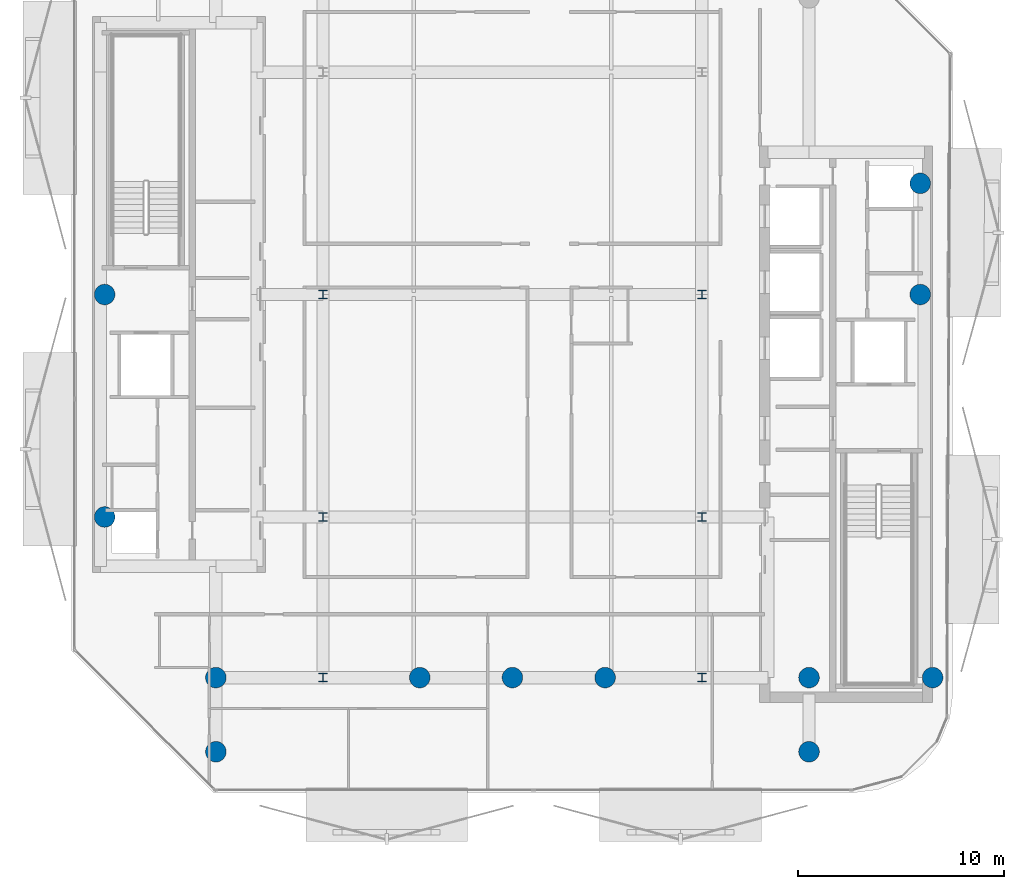
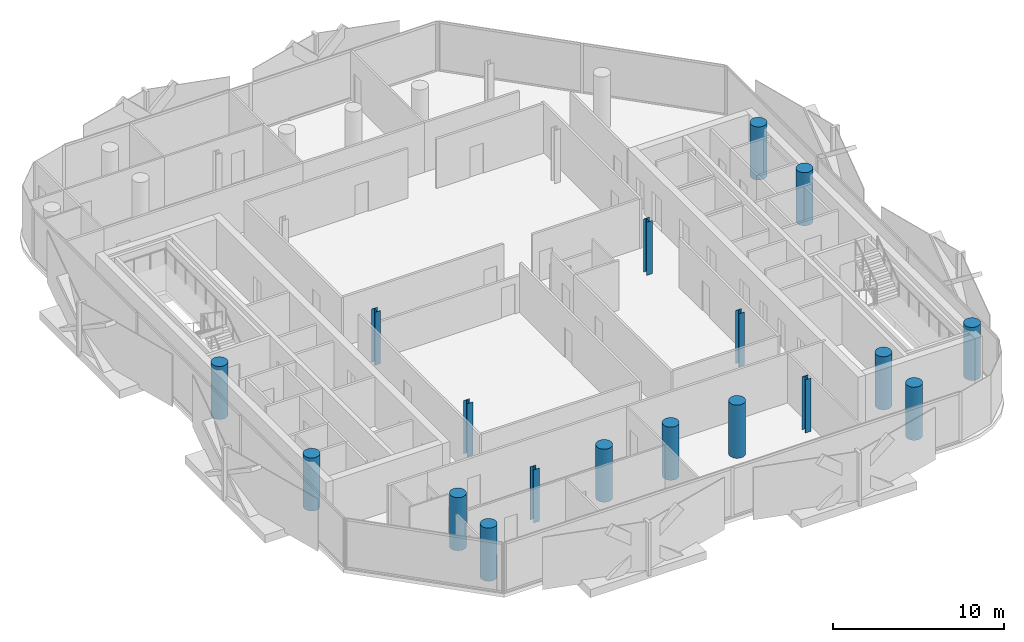
# One storey, part 1 of 16: 18 columns.
"""IFC4 building model written with IfcOpenShell, lengths in metres."""

from ifc_helpers import new_model, si_unit, direction, frame, origin, origin_2d, place, context, subcontext, project, spatial, circle, i_section, extrude, material, material_profile, profile_set, type_object, element, save


model = new_model("IFC4")

# Units and contexts
model_context = context("Model", 3, precision=1e-05, world=origin(), true_north=direction((0.0, 1.0)))
body_context = subcontext(model_context, "Body", "Model", "MODEL_VIEW")
ifc_project = project(units=[si_unit("LENGTHUNIT", "METRE"), si_unit("AREAUNIT", "SQUARE_METRE"), si_unit("VOLUMEUNIT", "CUBIC_METRE"), si_unit("PLANEANGLEUNIT", "RADIAN"), si_unit("MASSUNIT", "GRAM", prefix="KILO")], contexts=[model_context])

# Site, building, storey
site_placement = place(None, origin())
site = spatial("IfcSite", under=ifc_project, at=site_placement, CompositionType="ELEMENT")
building_placement = place(site_placement, origin())
building = spatial("IfcBuilding", under=site, at=building_placement, Name="Khairoan Windgate Tower", CompositionType="ELEMENT")
storey_placement = place(building_placement, frame((0.0, 0.0, 292.800048828125)))
storey = spatial("IfcBuildingStorey", under=building, at=storey_placement, Name="L70", CompositionType="ELEMENT", Elevation=292.800048828125)

# Columns
ifc_material_1 = material(Name="Concrete C60/75", Category="concrete")
ifc_material_profile_1 = material_profile(ifc_material_1, circle(Radius=0.5, at=origin_2d()))
ifc_profile_set_1 = profile_set([ifc_material_profile_1], Name="Concrete C60/75")
column_type_1 = type_object("IfcColumnType", Name="Column C-P1 RC-D1000", PredefinedType="COLUMN", material=ifc_profile_set_1)
for number, where, z_axis, x_axis, name in (
    (1, (20.39990234375, -18.60009765625, 0.0), (0.0, 0.0, 1.0), (1.0, 0.0, 0.0), "Column L70-12"),
    (2, (-14.39990234375, -18.60009765625, 0.0), (0.0, 0.0, 1.0), (1.0, 0.0, 0.0), "Column L70-13"),
    (3, (14.39990234375, -18.60009765625, 0.0), (0.0, 0.0, 1.0), (1.0, 0.0, 0.0), "Column L70-15"),
    (4, (-4.5, -18.60009765625, 0.0), (0.0, 0.0, 1.0), (1.0, 0.0, 0.0), "Column L70-17"),
    (5, (0.0, -18.60009765625, 0.0), (0.0, 0.0, 1.0), (1.0, 0.0, 0.0), "Column L70-18"),
    (6, (4.5, -18.60009765625, 0.0), (0.0, 0.0, 1.0), (1.0, 0.0, 0.0), "Column L70-19"),
    (7, (-19.800048828125, -10.800048828125, 0.0), (0.0, 0.0, 1.0), (1.0, 0.0, 0.0), "Column L70-23"),
    (8, (-19.800048828125, 0.0, 0.0), (0.0, 0.0, 1.0), (1.0, 0.0, 0.0), "Column L70-24"),
    (9, (19.800048828125, 0.0, 0.0), (0.0, 0.0, 1.0), (1.0, 0.0, 0.0), "Column L70-25"),
    (10, (19.800048828125, 5.39990234375, 0.0), (0.0, 0.0, 1.0), (1.0, 0.0, 0.0), "Column L70-26"),
    (11, (-14.39990234375, -22.199951171875, 0.0), (0.0, 0.0, 1.0), (1.0, 0.0, 0.0), "Column L70-27"),
    (12, (14.39990234375, -22.199951171875, 0.0), (0.0, 0.0, 1.0), (1.0, 0.0, 0.0), "Column L70-29"),
):
    element("IfcColumn", number, at=place(storey_placement, frame(where, z_axis=z_axis, x_axis=x_axis)), inside=storey, type_object=column_type_1, Name=name, PredefinedType="COLUMN", context=body_context, shape_type="SweptSolid", body=[
        extrude(circle(Radius=0.5, at=origin_2d()), origin(), (0.0, 0.0, 1.0), 3.800048828125),
    ])
ifc_material_2 = material(Name="Steel S355", Category="steel")
ifc_material_profile_2 = material_profile(ifc_material_2, i_section(OverallWidth=0.39990234375, OverallDepth=0.39990234375, WebThickness=0.012939453125, FlangeThickness=0.02099609375, FilletRadius=0.02197265625, at=origin_2d()))
ifc_profile_set_2 = profile_set([ifc_material_profile_2], Name="Steel S355")
column_type_2 = type_object("IfcColumnType", Name="Steel Column SC4 H400x400x13x21", PredefinedType="COLUMN", material=ifc_profile_set_2)
for number, where, z_axis, x_axis, name in (
    (13, (-9.199951171875, -18.60009765625, 0.0), (0.0, 0.0, 1.0), (1.0, 0.0, 0.0), "Column L70-01"),
    (14, (-9.199951171875, -10.800048828125, 0.0), (0.0, 0.0, 1.0), (1.0, 0.0, 0.0), "Column L70-02"),
    (15, (-9.199951171875, 0.0, 0.0), (0.0, 0.0, 1.0), (1.0, 0.0, 0.0), "Column L70-03"),
    (16, (9.199951171875, -18.60009765625, 0.0), (0.0, 0.0, 1.0), (1.0, 0.0, 0.0), "Column L70-06"),
    (17, (9.199951171875, -10.800048828125, 0.0), (0.0, 0.0, 1.0), (1.0, 0.0, 0.0), "Column L70-07"),
    (18, (9.199951171875, 0.0, 0.0), (0.0, 0.0, 1.0), (1.0, 0.0, 0.0), "Column L70-08"),
):
    element("IfcColumn", number, at=place(storey_placement, frame(where, z_axis=z_axis, x_axis=x_axis)), inside=storey, type_object=column_type_2, Name=name, PredefinedType="COLUMN", context=body_context, shape_type="SweptSolid", body=[
        extrude(i_section(OverallWidth=0.39990234375, OverallDepth=0.39990234375, WebThickness=0.012939453125, FlangeThickness=0.02099609375, FilletRadius=0.02197265625, at=origin_2d()), origin(), (0.0, 0.0, 1.0), 3.800048828125),
    ])

save(model, "model.ifc")
